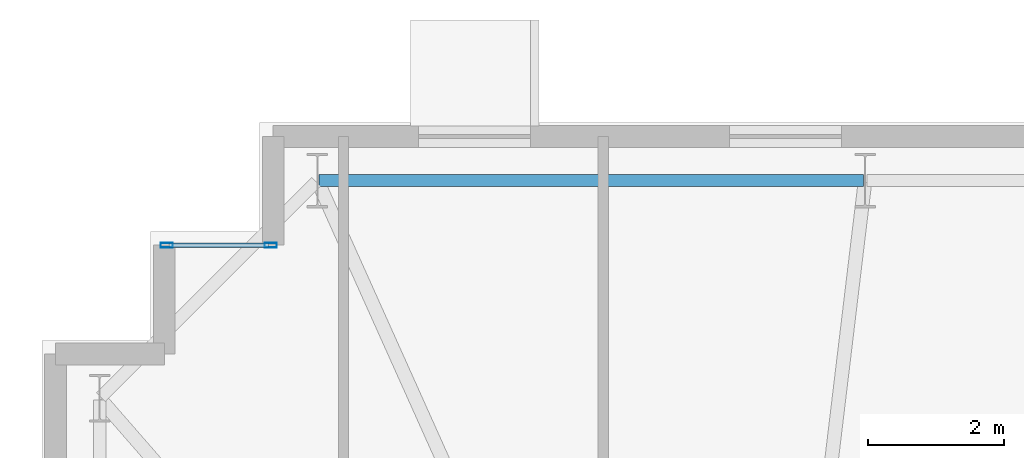
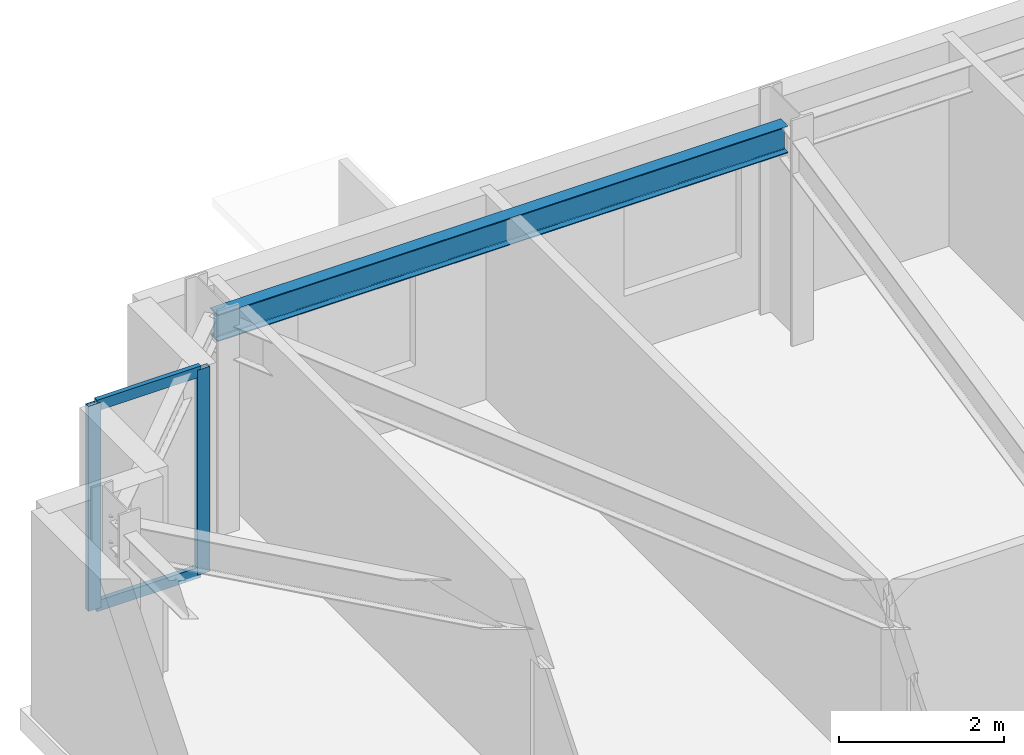
# One storey, part 7 of 18: 4 members, 1 beam, 1 element without a shape of its own.
"""IFC4 building model written with IfcOpenShell, lengths in metres."""

from ifc_helpers import new_model, si_unit, direction, frame, origin, origin_2d, place, context, subcontext, project, spatial, hollow_rectangle, i_section, extrude, material, layer, layer_set, material_profile, profile_set, type_object, element, aggregate, save


model = new_model("IFC4")

# Units and contexts
model_context = context("Model", 3, precision=1e-05, world=origin(), true_north=direction((0.0, 1.0)))
body_context = subcontext(model_context, "Body", "Model", "MODEL_VIEW")
ifc_project = project(units=[si_unit("LENGTHUNIT", "METRE"), si_unit("AREAUNIT", "SQUARE_METRE"), si_unit("VOLUMEUNIT", "CUBIC_METRE"), si_unit("PLANEANGLEUNIT", "RADIAN"), si_unit("MASSUNIT", "GRAM", prefix="KILO")], contexts=[model_context])

# Site, building, storey
site_placement = place(None, origin())
site = spatial("IfcSite", under=ifc_project, at=site_placement, CompositionType="ELEMENT")
building_placement = place(site_placement, origin())
building = spatial("IfcBuilding", under=site, at=building_placement, Name="Qobustan Lattice House", CompositionType="ELEMENT")
storey_placement = place(building_placement, frame((0.0, 0.0, 141.050048828125)))
storey = spatial("IfcBuildingStorey", under=building, at=storey_placement, Name="L39", CompositionType="ELEMENT", Elevation=141.050048828125)

# Beam
ifc_material_1 = material(Name="Steel S355", Category="steel")
ifc_material_profile_1 = material_profile(ifc_material_1, i_section(OverallWidth=0.179931640625, OverallDepth=0.39990234375, WebThickness=0.008544921875, FlangeThickness=0.013427734375, FilletRadius=0.02099609375, at=origin_2d()), Name="IPE400")
ifc_profile_set_1 = profile_set([ifc_material_profile_1], Name="Steel S355")
beam_type = type_object("IfcBeamType", Name="BM-SPD-IPE400", PredefinedType="SPANDREL", material=ifc_profile_set_1)
beam_placement = place(storey_placement, frame((-17.125, 19.75, 2.83984375), z_axis=(-1.0, 0.0, 0.0), x_axis=(0.0, -1.0, 0.0)))
element("IfcBeam", 1, at=beam_placement, inside=storey, type_object=beam_type, Name="L39 perimeter spandrel N6-N7", PredefinedType="SPANDREL", context=body_context, shape_type="SweptSolid", body=[
    extrude(i_section(OverallWidth=0.179931640625, OverallDepth=0.39990234375, WebThickness=0.008544921875, FlangeThickness=0.013427734375, FilletRadius=0.02099609375, at=origin_2d()), origin(), (0.0, 0.0, 1.0), 8.0),
])

# Curtain wall, members
ifc_material_2 = material(Name="Anodised aluminium and low-E glazing", Category="aluminium")
ifc_layer = layer(ifc_material_2, 0.219970703125)
ifc_layer_set = layer_set([ifc_layer], Name="Anodised aluminium and low-E glazing")
curtain_wall_type = type_object("IfcCurtainWallType", Name="CW-FAC-02", PredefinedType="USERDEFINED", material=ifc_layer_set)
curtain_wall_placement = place(storey_placement, origin())
curtain_wall = element("IfcCurtainWall", 2, at=curtain_wall_placement, inside=storey, type_object=curtain_wall_type, Name="L39 serrated corner faceted glazing 8", ObjectType="CURTAIN WALL", PredefinedType="USERDEFINED")
ifc_material_3 = material(Name="Anodised aluminium EN AW-6063 T6", Category="aluminium")
ifc_material_profile_2 = material_profile(ifc_material_3, hollow_rectangle(XDim=0.070068359375, YDim=0.179931640625, WallThickness=0.00439453125, at=origin_2d()), Name="CWM-180x70")
ifc_profile_set_2 = profile_set([ifc_material_profile_2], Name="Anodised aluminium EN AW-6063 T6")
member_type_1 = type_object("IfcMemberType", Name="CWM-STD-180", PredefinedType="MULLION", material=ifc_profile_set_2)
member_1_placement = place(storey_placement, frame((-27.364990234375, 18.800048828125, 0.0), z_axis=(0.0, 0.0, 1.0), x_axis=(0.0, 1.0, 0.0)))
member_1 = element("IfcMember", 3, at=member_1_placement, type_object=member_type_1, Name="CW-F2 mullion 1", PredefinedType="MULLION", context=body_context, shape_type="SweptSolid", body=[
    extrude(hollow_rectangle(XDim=0.070068359375, YDim=0.179931640625, WallThickness=0.00439453125, at=origin_2d()), origin(), (0.0, 0.0, 1.0), 3.0400390625),
])
member_2_placement = place(storey_placement, frame((-25.8349609375, 18.800048828125, 0.0), z_axis=(0.0, 0.0, 1.0), x_axis=(0.0, 1.0, 0.0)))
member_2 = element("IfcMember", 4, at=member_2_placement, type_object=member_type_1, Name="CW-F2 mullion 2", PredefinedType="MULLION", context=body_context, shape_type="SweptSolid", body=[
    extrude(hollow_rectangle(XDim=0.070068359375, YDim=0.179931640625, WallThickness=0.00439453125, at=origin_2d()), origin(), (0.0, 0.0, 1.0), 3.0400390625),
])
ifc_material_4 = material(Name="Anodised aluminium EN AW-6063 T6", Category="aluminium")
ifc_material_profile_3 = material_profile(ifc_material_4, hollow_rectangle(XDim=0.06494140625, YDim=0.159912109375, WallThickness=0.00390625, at=origin_2d()), Name="CWT-160x65")
ifc_profile_set_3 = profile_set([ifc_material_profile_3], Name="Anodised aluminium EN AW-6063 T6")
member_type_2 = type_object("IfcMemberType", Name="CWT-HOR-160", PredefinedType="USERDEFINED", material=ifc_profile_set_3)
member_3_placement = place(storey_placement, frame((-27.330078125, 18.800048828125, 0.032470703125), z_axis=(1.0, 0.0, 0.0), x_axis=(0.0, 1.0, 0.0)))
member_3 = element("IfcMember", 5, at=member_3_placement, type_object=member_type_2, Name="CW-F2 transom 1.1", ObjectType="TRANSOM", PredefinedType="USERDEFINED", context=body_context, shape_type="SweptSolid", body=[
    extrude(hollow_rectangle(XDim=0.06494140625, YDim=0.159912109375, WallThickness=0.00390625, at=origin_2d()), origin(), (0.0, 0.0, 1.0), 1.4599609375),
])
member_4_placement = place(storey_placement, frame((-27.330078125, 18.800048828125, 3.007568359375), z_axis=(1.0, 0.0, 0.0), x_axis=(0.0, 1.0, 0.0)))
member_4 = element("IfcMember", 6, at=member_4_placement, type_object=member_type_2, Name="CW-F2 transom 1.2", ObjectType="TRANSOM", PredefinedType="USERDEFINED", context=body_context, shape_type="SweptSolid", body=[
    extrude(hollow_rectangle(XDim=0.06494140625, YDim=0.159912109375, WallThickness=0.00390625, at=origin_2d()), origin(), (0.0, 0.0, 1.0), 1.4599609375),
])
aggregate(curtain_wall, [member_1, member_2, member_3, member_4])

save(model, "model.ifc")
